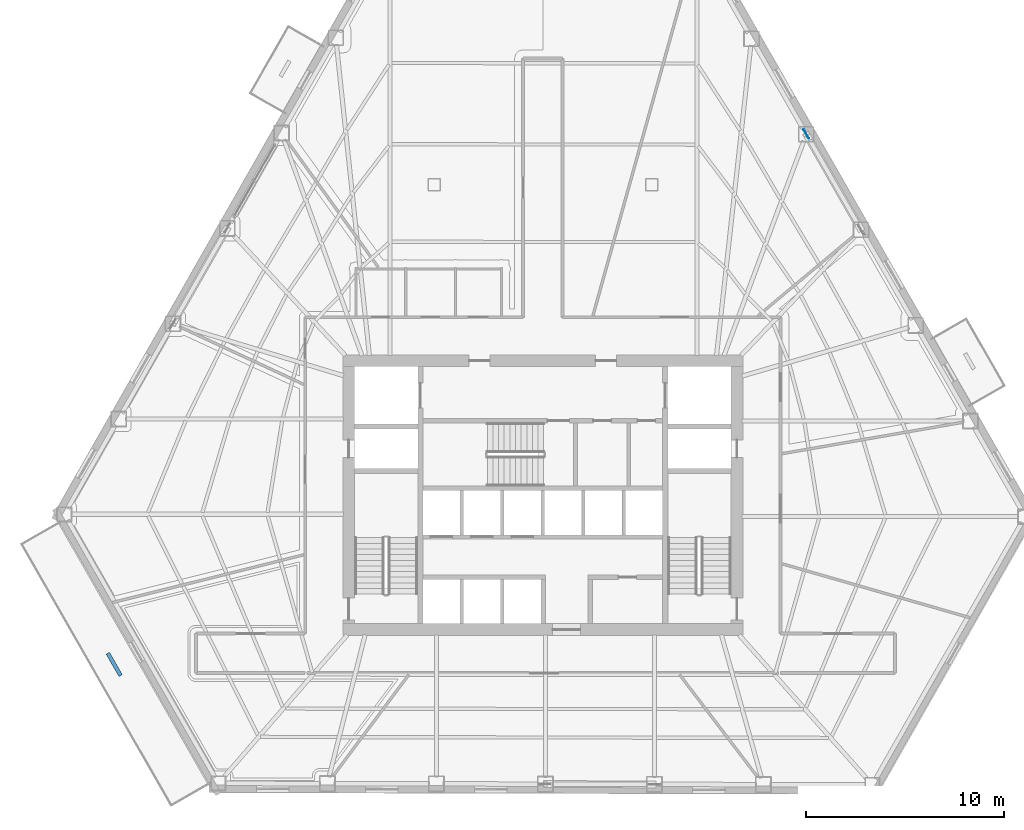
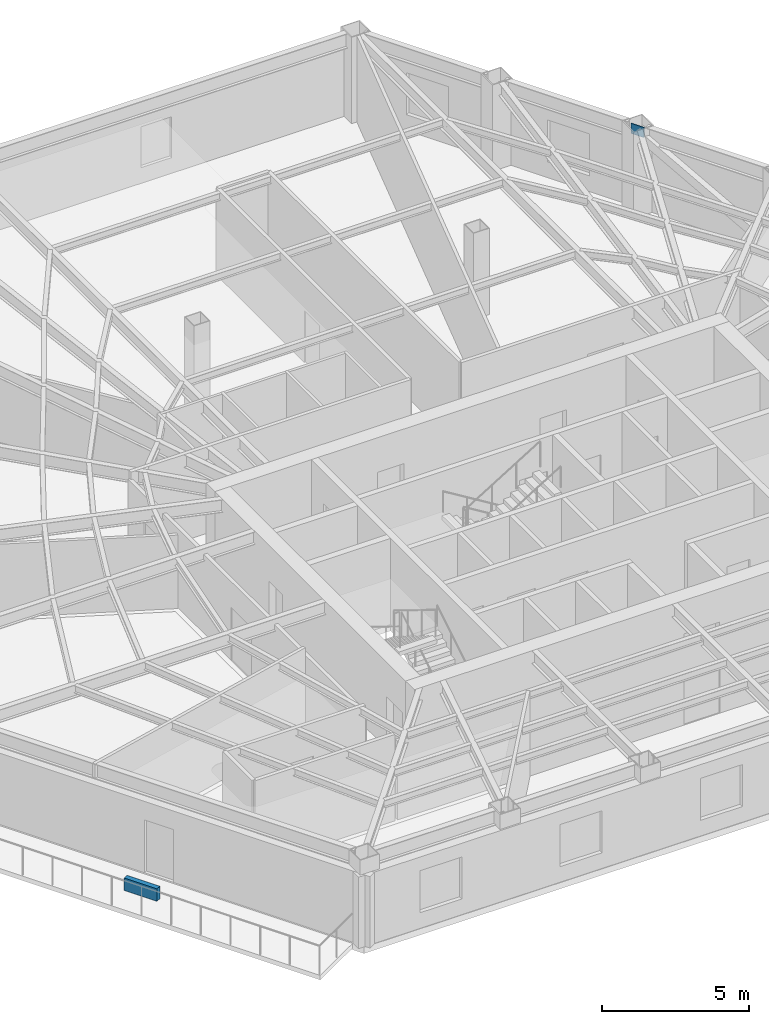
# One storey, part 7 of 14: 1 plate, 1 wall.
"""IFC4 building model written with IfcOpenShell, lengths in metres."""

from ifc_helpers import new_model, si_unit, direction, frame, frame_2d, origin, origin_2d, place, context, subcontext, project, spatial, rectangle, extrude, material, layer, layer_set, type_object, element, save


model = new_model("IFC4")

# Units and contexts
model_context = context("Model", 3, precision=1e-05, world=origin(), true_north=direction((0.0, 1.0)))
body_context = subcontext(model_context, "Body", "Model", "MODEL_VIEW")
ifc_project = project(units=[si_unit("LENGTHUNIT", "METRE"), si_unit("AREAUNIT", "SQUARE_METRE"), si_unit("VOLUMEUNIT", "CUBIC_METRE"), si_unit("PLANEANGLEUNIT", "RADIAN"), si_unit("MASSUNIT", "GRAM", prefix="KILO")], contexts=[model_context])

# Site, building, storey
site_placement = place(None, origin())
site = spatial("IfcSite", under=ifc_project, at=site_placement, CompositionType="ELEMENT")
building_placement = place(site_placement, origin())
building = spatial("IfcBuilding", under=site, at=building_placement, Name="Kavelnor Concourse Tower", CompositionType="ELEMENT")
storey_placement = place(building_placement, frame((0.0, 0.0, 32.949951171875)))
storey = spatial("IfcBuildingStorey", under=building, at=storey_placement, Name="L08", CompositionType="ELEMENT", Elevation=32.949951171875)

# Plate
ifc_material_1 = material(Name="Steel Grade 350", Category="steel")
ifc_layer_1 = layer(ifc_material_1, 0.031982421875, Name="Steel Grade 350")
ifc_layer_set_1 = layer_set([ifc_layer_1], Name="Steel Grade 350")
plate_type = type_object("IfcPlateType", Name="PL-GUSSET-TUBE-Z1", PredefinedType="USERDEFINED", material=ifc_layer_set_1)
plate_placement = place(storey_placement, frame((51.322021484375, 34.371337890625, 3.073974609375), z_axis=(0.0, 0.0, 1.0), x_axis=(-0.496973961028, 0.867765453369, 0.0)))
element("IfcPlate", 1, at=plate_placement, inside=storey, type_object=plate_type, Name="L08 Tube Brace Gusset GP3 F2-B3 End Gusset B", ObjectType="GUSSET_PLATE", PredefinedType="USERDEFINED", context=body_context, shape_type="SweptSolid", body=[
    extrude(rectangle(XDim=0.52001953125, YDim=0.031982421875, at=origin_2d()), origin(), (0.0, 0.0, 1.0), 0.419921875),
])

# Wall
ifc_material_2 = material(Name="Architectural precast planter concrete C40/50", Category="concrete")
ifc_layer_2 = layer(ifc_material_2, 0.18994140625, Name="Architectural precast planter concrete C40/50")
ifc_layer_set_2 = layer_set([ifc_layer_2], Name="Architectural precast planter concrete C40/50")
wall_type = type_object("IfcWallType", Name="WL-PLANTER-KERB-190", PredefinedType="USERDEFINED", material=ifc_layer_set_2)
wall_placement = place(storey_placement, frame((15.993408203125, 8.1064453125, 0.0), z_axis=(0.0, 0.0, 1.0), x_axis=(0.49690726154, -0.867803649122, 0.0)))
element("IfcWall", 2, at=wall_placement, inside=storey, type_object=wall_type, Name="L08 Spiral Terrace Landscaped Planter Kerb", ObjectType="PLANTER", PredefinedType="USERDEFINED", context=body_context, shape_type="SweptSolid", body=[
    extrude(rectangle(XDim=1.300048828125, YDim=0.18994140625, at=frame_2d((0.64990234375, 0.0))), origin(), (0.0, 0.0, 1.0), 0.52001953125),
])

save(model, "model.ifc")
